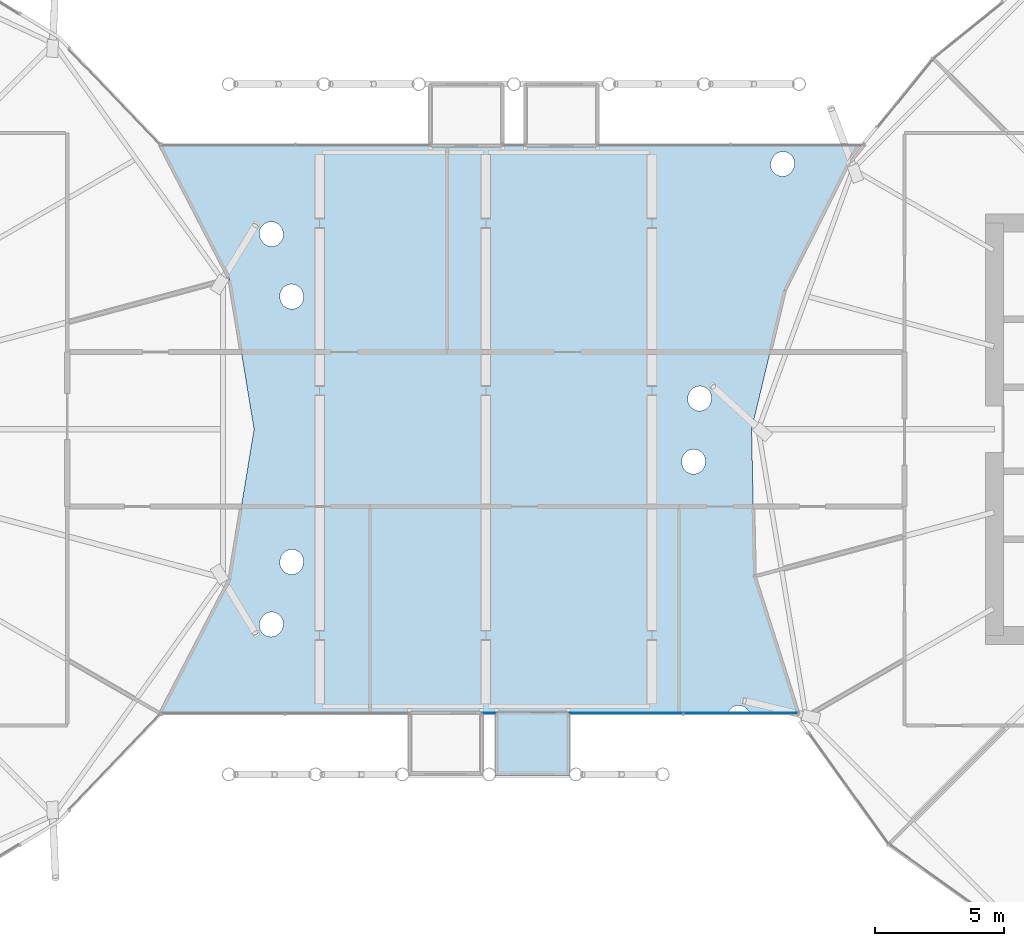
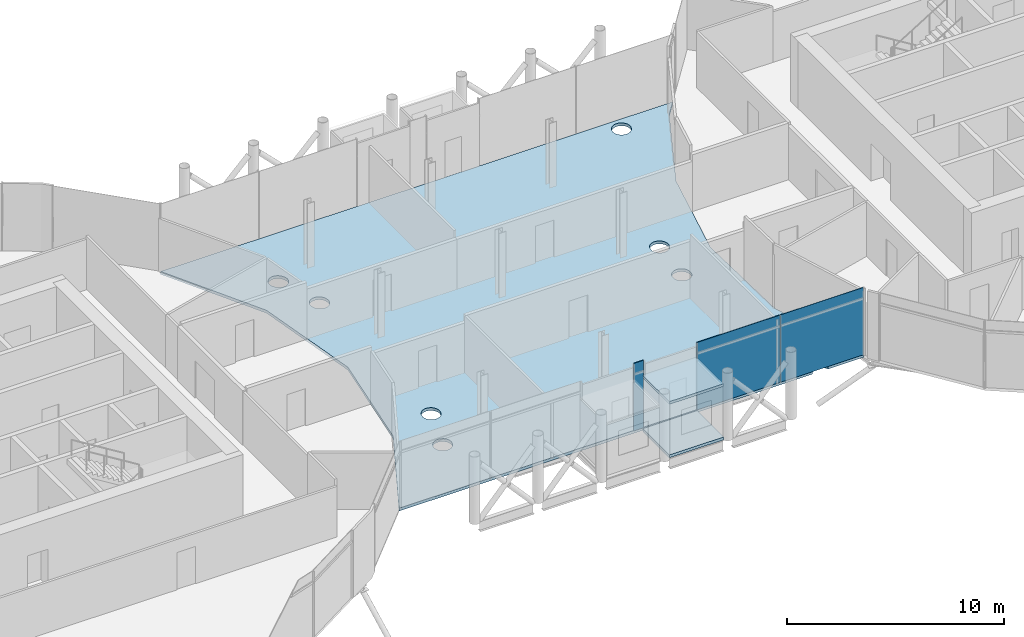
# One storey, part 21 of 39: 3 plates, 3 slabs, 1 element without a shape of its own.
"""IFC4 building model written with IfcOpenShell, lengths in metres."""

import ifcopenshell
import ifcopenshell.guid

model = None  # the IFC model being written
_history = None  # IfcOwnerHistory: only IFC2X3 demands one
_inside = {}  # id of a spatial element -> (the spatial element, [elements in it])
_under = {}  # id of a project, library or spatial element -> (it, [spatial elements below it])
_declared = {}  # id of a project -> (the project, [libraries it declares])
_typed = {}  # id of a type object -> (the type object, [elements of that type])
_made_of = {}  # id of a material, layer set ... -> (it, [elements and type objects made of it])


def new_model(schema):
    """Start an empty IFC model of exactly this schema.

    Asked for "IFC4X3", IfcOpenShell would pick the latest addendum, in which some entities
    have other attributes; the version numbers below select the first issue.
    IFC2X3 requires an IfcOwnerHistory on every rooted entity: one is made here for all.
    """
    global model, _history
    if schema == "IFC4X3":
        model = ifcopenshell.file(schema_version=(4, 3, 0, 0))
    else:
        model = ifcopenshell.file(schema=schema)
    _inside.clear()
    _under.clear()
    _declared.clear()
    _typed.clear()
    _made_of.clear()
    _history = None
    if model.schema == "IFC2X3":
        org = make("IfcOrganization", Name="unknown")
        user = make(
            "IfcPersonAndOrganization",
            ThePerson=make("IfcPerson", FamilyName="unknown"),
            TheOrganization=org,
        )
        app = make(
            "IfcApplication",
            ApplicationDeveloper=org,
            Version="unknown",
            ApplicationFullName="unknown",
            ApplicationIdentifier="unknown",
        )
        _history = make(
            "IfcOwnerHistory",
            OwningUser=user,
            OwningApplication=app,
            ChangeAction="ADDED",
            CreationDate=0,
        )
    return model


def make(cls, **values):
    """One entity of the class cls with the attributes given. An attribute that is None is left unset."""
    return model.create_entity(
        cls, **{name: value for name, value in values.items() if value is not None}
    )


def rooted(cls, **values):
    """An entity with a GlobalId (a new one), such as an element, a storey or a relation."""
    return make(cls, GlobalId=ifcopenshell.guid.new(), OwnerHistory=_history, **values)


def si_unit(unit_type, name, prefix=None):
    """IfcSIUnit, for example si_unit("LENGTHUNIT", "METRE", prefix="MILLI")."""
    return make("IfcSIUnit", UnitType=unit_type, Prefix=prefix, Name=name)


def assignment(units):
    """IfcUnitAssignment: the units of a project."""
    return None if units is None else make("IfcUnitAssignment", Units=units)


def point(xyz):
    """IfcCartesianPoint."""
    return None if xyz is None else make("IfcCartesianPoint", Coordinates=xyz)


def direction(xyz):
    """IfcDirection."""
    return None if xyz is None else make("IfcDirection", DirectionRatios=xyz)


def frame(location, z_axis=None, x_axis=None):
    """IfcAxis2Placement3D, a coordinate frame: its origin and axes. An axis left out is left unset."""
    return make(
        "IfcAxis2Placement3D",
        Location=point(location),
        Axis=direction(z_axis),
        RefDirection=direction(x_axis),
    )


def frame_2d(location, x_axis=None):
    """IfcAxis2Placement2D, a coordinate frame in the plane: its origin and x axis."""
    return make(
        "IfcAxis2Placement2D", Location=point(location), RefDirection=direction(x_axis)
    )


def origin():
    """The frame at (0, 0, 0) with its axes left unset."""
    return frame((0.0, 0.0, 0.0))


def origin_2d():
    """The frame at (0, 0) in the plane with its x axis left unset."""
    return frame_2d((0.0, 0.0))


def place(relative_to, where):
    """IfcLocalPlacement: puts the frame where relative to a parent placement (None: the world)."""
    return make(
        "IfcLocalPlacement", PlacementRelTo=relative_to, RelativePlacement=where
    )


def context(
    kind, dimensions, precision=None, world=None, true_north=None, identifier=None
):
    """IfcGeometricRepresentationContext, for example the 3D "Model" context."""
    return make(
        "IfcGeometricRepresentationContext",
        ContextIdentifier=identifier,
        ContextType=kind,
        CoordinateSpaceDimension=dimensions,
        Precision=precision,
        WorldCoordinateSystem=world,
        TrueNorth=true_north,
    )


def subcontext(parent, identifier, kind, view, scale=None):
    """IfcGeometricRepresentationSubContext, for example "Body" below "Model"."""
    return make(
        "IfcGeometricRepresentationSubContext",
        ContextIdentifier=identifier,
        ContextType=kind,
        ParentContext=parent,
        TargetScale=scale,
        TargetView=view,
    )


def project(units=None, contexts=None):
    """IfcProject with its units and contexts."""
    return rooted(
        "IfcProject",
        Name="project",
        RepresentationContexts=contexts,
        UnitsInContext=assignment(units),
    )


def spatial(cls, under=None, at=None, **own):
    """A site, building, storey or space (cls), placed at a placement, below another one or the project."""
    s = rooted(cls, ObjectPlacement=at, **own)
    if under is not None:
        _under.setdefault(under.id(), (under, []))[1].append(s)
    return s


def polyline(points):
    """IfcPolyline through the points."""
    return make("IfcPolyline", Points=[point(p) for p in points])


def profile(cls, at=None, kind="AREA", **sizes):
    """A parametric profile (cls). Its sizes go by their IFC names, for example OverallWidth=200.0."""
    return make(cls, ProfileType=kind, Position=at, **sizes)


def rectangle(**sizes):
    """IfcRectangleProfileDef."""
    return profile("IfcRectangleProfileDef", **sizes)


def outline(outer, holes=None, kind="AREA"):
    """IfcArbitraryClosedProfileDef: a profile drawn as a closed curve; with holes, ...WithVoids."""
    if holes is None:
        return make("IfcArbitraryClosedProfileDef", ProfileType=kind, OuterCurve=outer)
    return make(
        "IfcArbitraryProfileDefWithVoids",
        ProfileType=kind,
        OuterCurve=outer,
        InnerCurves=holes,
    )


def extrude(swept, where, along, depth):
    """IfcExtrudedAreaSolid: the profile swept, set in the frame where, extruded along a direction by depth."""
    return make(
        "IfcExtrudedAreaSolid",
        SweptArea=swept,
        Position=where,
        ExtrudedDirection=direction(along),
        Depth=depth,
    )


def shape(context_of_items, identifier, shape_type, items):
    """IfcShapeRepresentation: the items that make up one representation, for example the "Body"."""
    return make(
        "IfcShapeRepresentation",
        ContextOfItems=context_of_items,
        RepresentationIdentifier=identifier,
        RepresentationType=shape_type,
        Items=items,
    )


def material(Name=None, Category=None):
    """IfcMaterial."""
    return make("IfcMaterial", Name=Name, Category=Category)


def layer(
    of_material, thickness, ventilated=None, Name=None, Category=None, Priority=None
):
    """IfcMaterialLayer: one layer of a wall or slab, of a material (None: an air gap)."""
    return make(
        "IfcMaterialLayer",
        Material=of_material,
        LayerThickness=thickness,
        IsVentilated=ventilated,
        Name=Name,
        Category=Category,
        Priority=Priority,
    )


def layer_set(layers, Name=None):
    """IfcMaterialLayerSet."""
    return make("IfcMaterialLayerSet", MaterialLayers=layers, LayerSetName=Name)


def made_of(thing, what):
    """Note that an element or type object is made of a material, layer set ...; save() writes the relation."""
    if what is not None:
        _made_of.setdefault(what.id(), (what, []))[1].append(thing)
    return thing


def type_object(cls, material=None, **own):
    """A type object (cls), such as IfcWallType, which elements share."""
    return made_of(rooted(cls, **own), material)


def element(
    cls,
    number,
    at=None,
    inside=None,
    cuts=None,
    type_object=None,
    material=None,
    context=None,
    identifier="Body",
    shape_type=None,
    held_by="IfcProductDefinitionShape",
    body=None,
    shapes=None,
    **own,
):
    """One element of the class cls, such as IfcWall. Its Tag is "e" and its number.

    at: its placement. inside: the storey or other place that contains it. cuts: it is an
    opening in that element (IfcRelVoidsElement). A single representation is given by context,
    identifier, shape_type and body (its items); several are given by shapes. held_by: the class
    of the entity that holds the representations. save() writes the other relations.
    """
    e = rooted(cls, Tag="e%d" % number, ObjectPlacement=at, **own)
    if body is not None:
        shapes = [shape(context, identifier, shape_type, body)]
    if shapes is not None:
        e.Representation = make(held_by, Representations=shapes)
    if inside is not None:
        _inside.setdefault(inside.id(), (inside, []))[1].append(e)
    if cuts is not None:
        rooted(
            "IfcRelVoidsElement", RelatingBuildingElement=cuts, RelatedOpeningElement=e
        )
    if type_object is not None:
        _typed.setdefault(type_object.id(), (type_object, []))[1].append(e)
    return made_of(e, material)


def aggregate(whole, parts):
    """IfcRelAggregates: a whole, such as a stair, and the parts it consists of."""
    return rooted("IfcRelAggregates", RelatingObject=whole, RelatedObjects=parts)


def save(model, path):
    """Write the relations noted so far, then the file.

    IfcRelAggregates (storeys below a building ...), IfcRelContainedInSpatialStructure (elements
    in a storey), IfcRelDefinesByType, IfcRelAssociatesMaterial and IfcRelDeclares: one each for
    every whole, place, type object, material and project.
    """
    for whole, parts in _under.values():
        aggregate(whole, parts)
    for where, things in _inside.values():
        rooted(
            "IfcRelContainedInSpatialStructure",
            RelatedElements=things,
            RelatingStructure=where,
        )
    for kind, things in _typed.values():
        rooted("IfcRelDefinesByType", RelatedObjects=things, RelatingType=kind)
    for what, things in _made_of.values():
        rooted("IfcRelAssociatesMaterial", RelatedObjects=things, RelatingMaterial=what)
    for by, libraries in _declared.values():
        rooted("IfcRelDeclares", RelatingContext=by, RelatedDefinitions=libraries)
    model.write(path)


model = new_model("IFC4")

# Units and contexts
model_context = context("Model", 3, precision=1e-05, world=origin(), true_north=direction((0.0, 1.0)))
body_context = subcontext(model_context, "Body", "Model", "MODEL_VIEW")
ifc_project = project(units=[si_unit("LENGTHUNIT", "METRE"), si_unit("AREAUNIT", "SQUARE_METRE"), si_unit("VOLUMEUNIT", "CUBIC_METRE"), si_unit("PLANEANGLEUNIT", "RADIAN"), si_unit("MASSUNIT", "GRAM", prefix="KILO")], contexts=[model_context])

# Site, building, storey
site_placement = place(None, origin())
site = spatial("IfcSite", under=ifc_project, at=site_placement, CompositionType="ELEMENT")
building_placement = place(site_placement, origin())
building = spatial("IfcBuilding", under=site, at=building_placement, Name="Rimbun Link Towers", CompositionType="ELEMENT")
storey_placement = place(building_placement, frame((0.0, 0.0, 143.0)))
storey = spatial("IfcBuildingStorey", under=building, at=storey_placement, Name="L34", CompositionType="ELEMENT", Elevation=143.0)

# Slabs
ifc_material_1 = material(Name="Insulated metal floor panel on steel frame", Category="steel")
ifc_layer_1 = layer(ifc_material_1, 0.159912109375)
ifc_layer_set_1 = layer_set([ifc_layer_1], Name="CAPSULE floor panel 160")
slab_type_1 = type_object("IfcSlabType", Name="CAPSULE floor panel 160", PredefinedType="FLOOR", material=ifc_layer_set_1)
slab_1_placement = place(storey_placement, frame((0.0, 0.0, -0.219970703125)))
element("IfcSlab", 1, at=slab_1_placement, inside=storey, type_object=slab_type_1, Name="CAPSULE F34.12 floor panel", PredefinedType="FLOOR", context=body_context, shape_type="SweptSolid", body=[
    extrude(outline(polyline([(3.26318359375, -11.0), (0.36328125, -11.0), (0.36328125, -13.449951171875), (3.26318359375, -13.449951171875), (3.26318359375, -11.0)])), origin(), (0.0, 0.0, 1.0), 0.159912109375),
])
ifc_material_2 = material(Name="Insulated metal roof panel with terracotta fascia", Category="masonry")
ifc_layer_2 = layer(ifc_material_2, 0.14990234375)
ifc_layer_set_2 = layer_set([ifc_layer_2], Name="CAPSULE roof panel 150")
slab_type_2 = type_object("IfcSlabType", Name="CAPSULE roof panel 150", PredefinedType="ROOF", material=ifc_layer_set_2)
slab_2_placement = place(storey_placement, frame((0.0, 0.0, 2.7900390625)))
element("IfcSlab", 2, at=slab_2_placement, inside=storey, type_object=slab_type_2, Name="CAPSULE F34.12 roof panel", PredefinedType="ROOF", context=body_context, shape_type="SweptSolid", body=[
    extrude(outline(polyline([(0.36328125, -13.449951171875), (3.26318359375, -13.449951171875), (3.26318359375, -10.949951171875), (0.36328125, -10.949951171875), (0.36328125, -13.449951171875)])), origin(), (0.0, 0.0, 1.0), 0.14990234375),
])

# Curtain wall, plates
ifc_material_3 = material(Name="Aluminium 6063-T6 and low-iron glass", Category="aluminium")
curtain_wall_type = type_object("IfcCurtainWallType", Name="CW4 link block wall", PredefinedType="NOTDEFINED", material=ifc_material_3)
curtain_wall_placement = place(storey_placement, origin())
curtain_wall = element("IfcCurtainWall", 3, at=curtain_wall_placement, inside=storey, type_object=curtain_wall_type, Name="CW4 L34 LB", PredefinedType="NOTDEFINED")
ifc_material_4 = material(Name="Aluminium cladding, insulated panel", Category="aluminium")
ifc_layer_3 = layer(ifc_material_4, 0.028076171875)
ifc_layer_set_3 = layer_set([ifc_layer_3], Name="CW4 insulated panel Aluminium cladding 28")
plate_type_1 = type_object("IfcPlateType", Name="CW4 insulated panel Aluminium cladding 28", PredefinedType="CURTAIN_PANEL", material=ifc_layer_set_3)
plate_1_placement = place(storey_placement, frame((9.894287109375, -11.013916015625, 0.0), z_axis=(0.0, 0.0, 1.0), x_axis=(-1.0, 0.0, 0.0)))
plate_1 = element("IfcPlate", 4, at=plate_1_placement, type_object=plate_type_1, Name="CW4 insulated panel", PredefinedType="CURTAIN_PANEL", context=body_context, shape_type="SweptSolid", body=[
    extrude(rectangle(XDim=4.4140625, YDim=0.028076171875, at=origin_2d()), origin(), (0.0, 0.0, 1.0), 3.800048828125),
])
ifc_material_5 = material(Name="Low-iron glass, laminated low-e unit", Category="glass")
ifc_layer_4 = layer(ifc_material_5, 0.028076171875)
ifc_layer_set_4 = layer_set([ifc_layer_4], Name="CW4 panel Low-iron glass 28")
plate_type_2 = type_object("IfcPlateType", Name="CW4 panel Low-iron glass 28", PredefinedType="CURTAIN_PANEL", material=ifc_layer_set_4)
plate_2_placement = place(storey_placement, frame((5.4404296875, -11.013916015625, 0.0), z_axis=(0.0, 0.0, 1.0), x_axis=(-1.0, 0.0, 0.0)))
plate_2 = element("IfcPlate", 5, at=plate_2_placement, type_object=plate_type_2, Name="CW4 panel", PredefinedType="CURTAIN_PANEL", context=body_context, shape_type="SweptSolid", body=[
    extrude(rectangle(XDim=4.4140625, YDim=0.028076171875, at=origin_2d()), origin(), (0.0, 0.0, 1.0), 3.800048828125),
])
plate_3_placement = place(storey_placement, frame((0.12890625, -11.013916015625, 0.0), z_axis=(0.0, 0.0, 1.0), x_axis=(-1.0, 0.0, 0.0)))
plate_3 = element("IfcPlate", 6, at=plate_3_placement, type_object=plate_type_2, Name="CW4 panel", PredefinedType="CURTAIN_PANEL", context=body_context, shape_type="SweptSolid", body=[
    extrude(rectangle(XDim=0.529052734375, YDim=0.028076171875, at=origin_2d()), origin(), (0.0, 0.0, 1.0), 3.800048828125),
])
aggregate(curtain_wall, [plate_1, plate_2, plate_3])

# Slab
ifc_material_6 = material(Name="Concrete C40/50", Category="concrete")
ifc_layer_5 = layer(ifc_material_6, 0.159912109375)
ifc_layer_set_5 = layer_set([ifc_layer_5], Name="Link composite floor slab")
slab_type_3 = type_object("IfcSlabType", Name="Link composite floor slab", PredefinedType="FLOOR", material=ifc_layer_set_5)
slab_3_placement = place(storey_placement, frame((0.0, 0.0, -0.159912109375)))
element("IfcSlab", 7, at=slab_3_placement, inside=storey, type_object=slab_type_3, Name="Link floor slab L34", PredefinedType="FLOOR", context=body_context, shape_type="SweptSolid", body=[
    extrude(outline(polyline([(-9.956787109375, -5.839599609375), (-8.99658203125, 0.0), (-9.956787109375, 5.839599609375), (-12.626953125, 11.0), (14.66064453125, 11.0), (14.035400390625, 10.2275390625), (11.609375, 5.396728515625), (10.31884765625, 0.0), (10.439208984375, -5.710205078125), (12.121337890625, -11.0), (10.236083984375, -11.0), (10.22998046875, -10.985107421875), (10.208740234375, -10.94580078125), (10.18359375, -10.90869140625), (10.1552734375, -10.874267578125), (10.123291015625, -10.8427734375), (10.0888671875, -10.814697265625), (10.051513671875, -10.789794921875), (10.011962890625, -10.76904296875), (9.970703125, -10.751953125), (9.927734375, -10.7392578125), (9.8837890625, -10.730712890625), (9.83935546875, -10.726318359375), (9.794677734375, -10.7265625), (9.750244140625, -10.731201171875), (9.706298828125, -10.739990234375), (9.66357421875, -10.753173828125), (9.622314453125, -10.7705078125), (9.5830078125, -10.791748046875), (9.5458984375, -10.816650390625), (9.511474609375, -10.84521484375), (9.47998046875, -10.876953125), (9.451904296875, -10.91162109375), (9.427001953125, -10.94873046875), (9.40625, -10.98828125), (9.4013671875, -11.0), (-12.626953125, -11.0), (-9.956787109375, -5.839599609375)]), holes=[polyline([(-8.586181640625, -7.188720703125), (-8.62060546875, -7.217041015625), (-8.652099609375, -7.248779296875), (-8.680419921875, -7.283447265625), (-8.705078125, -7.32080078125), (-8.72607421875, -7.3603515625), (-8.748291015625, -7.407958984375), (-8.76513671875, -7.44921875), (-8.778076171875, -7.4921875), (-8.78662109375, -7.535888671875), (-8.790771484375, -7.58056640625), (-8.79052734375, -7.625244140625), (-8.7861328125, -7.669677734375), (-8.777099609375, -7.71337890625), (-8.76416015625, -7.75634765625), (-8.746826171875, -7.797607421875), (-8.7255859375, -7.8369140625), (-8.70068359375, -7.8740234375), (-8.672119140625, -7.908447265625), (-8.640380859375, -7.93994140625), (-8.605712890625, -7.968017578125), (-8.568359375, -7.992919921875), (-8.52880859375, -8.013916015625), (-8.487548828125, -8.03076171875), (-8.444580078125, -8.04345703125), (-8.40087890625, -8.052001953125), (-8.356201171875, -8.056396484375), (-8.3115234375, -8.05615234375), (-8.26708984375, -8.051513671875), (-8.223388671875, -8.042724609375), (-8.1806640625, -8.029541015625), (-8.139404296875, -8.01220703125), (-8.10009765625, -7.990966796875), (-8.06298828125, -7.966064453125), (-8.0283203125, -7.9375), (-7.996826171875, -7.90576171875), (-7.96875, -7.87109375), (-7.944091796875, -7.833984375), (-7.923095703125, -7.79443359375), (-7.90087890625, -7.74658203125), (-7.8837890625, -7.705322265625), (-7.87109375, -7.66259765625), (-7.8623046875, -7.61865234375), (-7.858154296875, -7.57421875), (-7.8583984375, -7.529296875), (-7.863037109375, -7.48486328125), (-7.871826171875, -7.441162109375), (-7.885009765625, -7.3984375), (-7.90234375, -7.357177734375), (-7.923583984375, -7.31787109375), (-7.948486328125, -7.28076171875), (-7.97705078125, -7.24609375), (-8.0087890625, -7.21484375), (-8.04345703125, -7.1865234375), (-8.08056640625, -7.161865234375), (-8.1201171875, -7.140869140625), (-8.16162109375, -7.1240234375), (-8.204345703125, -7.111083984375), (-8.248291015625, -7.1025390625), (-8.292724609375, -7.098388671875), (-8.33740234375, -7.098388671875), (-8.3818359375, -7.10302734375), (-8.42578125, -7.112060546875), (-8.468505859375, -7.125), (-8.509765625, -7.142333984375), (-8.549072265625, -7.16357421875), (-8.586181640625, -7.188720703125)]), polyline([(-7.18798828125, -5.46435546875), (-7.161376953125, -5.42822265625), (-7.138671875, -5.389892578125), (-7.11962890625, -5.349365234375), (-7.104736328125, -5.30712890625), (-7.093994140625, -5.263671875), (-7.083984375, -5.211181640625), (-7.07763671875, -5.1669921875), (-7.07568359375, -5.122314453125), (-7.077880859375, -5.07763671875), (-7.084716796875, -5.033447265625), (-7.095703125, -4.990234375), (-7.111083984375, -4.9482421875), (-7.13037109375, -4.90771484375), (-7.1533203125, -4.86962890625), (-7.18017578125, -4.833740234375), (-7.21044921875, -4.80078125), (-7.24365234375, -4.77099609375), (-7.27978515625, -4.744384765625), (-7.318115234375, -4.7216796875), (-7.358642578125, -4.70263671875), (-7.40087890625, -4.687744140625), (-7.444091796875, -4.677001953125), (-7.488525390625, -4.670654296875), (-7.533203125, -4.668701171875), (-7.577880859375, -4.671142578125), (-7.6220703125, -4.677978515625), (-7.665283203125, -4.68896484375), (-7.707275390625, -4.7041015625), (-7.747802734375, -4.723388671875), (-7.785888671875, -4.74658203125), (-7.82177734375, -4.7734375), (-7.854736328125, -4.8037109375), (-7.884521484375, -4.8369140625), (-7.9111328125, -4.872802734375), (-7.933837890625, -4.911376953125), (-7.952880859375, -4.951904296875), (-7.9677734375, -4.993896484375), (-7.978515625, -5.037353515625), (-7.988525390625, -5.08984375), (-7.994873046875, -5.134033203125), (-7.996826171875, -5.1787109375), (-7.99462890625, -5.223388671875), (-7.98779296875, -5.267578125), (-7.976806640625, -5.310791015625), (-7.96142578125, -5.352783203125), (-7.942138671875, -5.393310546875), (-7.919189453125, -5.431396484375), (-7.892333984375, -5.46728515625), (-7.862060546875, -5.500244140625), (-7.828857421875, -5.5302734375), (-7.792724609375, -5.556640625), (-7.75439453125, -5.57958984375), (-7.7138671875, -5.598388671875), (-7.671630859375, -5.61328125), (-7.62841796875, -5.6240234375), (-7.583984375, -5.63037109375), (-7.539306640625, -5.63232421875), (-7.49462890625, -5.6298828125), (-7.450439453125, -5.623291015625), (-7.4072265625, -5.6123046875), (-7.365234375, -5.596923828125), (-7.32470703125, -5.57763671875), (-7.28662109375, -5.554443359375), (-7.250732421875, -5.527587890625), (-7.2177734375, -5.49755859375), (-7.18798828125, -5.46435546875)]), polyline([(-7.98779296875, 5.267578125), (-7.99462890625, 5.223388671875), (-7.996826171875, 5.1787109375), (-7.994873046875, 5.134033203125), (-7.988525390625, 5.08984375), (-7.978515625, 5.037353515625), (-7.9677734375, 4.993896484375), (-7.952880859375, 4.951904296875), (-7.933837890625, 4.911376953125), (-7.9111328125, 4.872802734375), (-7.884521484375, 4.8369140625), (-7.854736328125, 4.8037109375), (-7.82177734375, 4.7734375), (-7.785888671875, 4.74658203125), (-7.747802734375, 4.723388671875), (-7.707275390625, 4.7041015625), (-7.665283203125, 4.68896484375), (-7.6220703125, 4.677978515625), (-7.577880859375, 4.671142578125), (-7.533203125, 4.668701171875), (-7.488525390625, 4.670654296875), (-7.444091796875, 4.677001953125), (-7.40087890625, 4.687744140625), (-7.358642578125, 4.70263671875), (-7.318115234375, 4.7216796875), (-7.27978515625, 4.744384765625), (-7.24365234375, 4.77099609375), (-7.21044921875, 4.80078125), (-7.18017578125, 4.833740234375), (-7.1533203125, 4.86962890625), (-7.13037109375, 4.90771484375), (-7.111083984375, 4.9482421875), (-7.095703125, 4.990234375), (-7.084716796875, 5.033447265625), (-7.077880859375, 5.07763671875), (-7.07568359375, 5.122314453125), (-7.07763671875, 5.1669921875), (-7.083984375, 5.211181640625), (-7.093994140625, 5.263671875), (-7.104736328125, 5.30712890625), (-7.11962890625, 5.349365234375), (-7.138671875, 5.389892578125), (-7.161376953125, 5.42822265625), (-7.18798828125, 5.46435546875), (-7.2177734375, 5.49755859375), (-7.250732421875, 5.527587890625), (-7.28662109375, 5.554443359375), (-7.32470703125, 5.57763671875), (-7.365234375, 5.596923828125), (-7.4072265625, 5.6123046875), (-7.450439453125, 5.623291015625), (-7.49462890625, 5.6298828125), (-7.539306640625, 5.63232421875), (-7.583984375, 5.63037109375), (-7.62841796875, 5.6240234375), (-7.671630859375, 5.61328125), (-7.7138671875, 5.598388671875), (-7.75439453125, 5.57958984375), (-7.792724609375, 5.556640625), (-7.828857421875, 5.5302734375), (-7.862060546875, 5.500244140625), (-7.892333984375, 5.46728515625), (-7.919189453125, 5.431396484375), (-7.942138671875, 5.393310546875), (-7.96142578125, 5.352783203125), (-7.976806640625, 5.310791015625), (-7.98779296875, 5.267578125)]), polyline([(-7.858154296875, 7.57421875), (-7.8623046875, 7.61865234375), (-7.87109375, 7.66259765625), (-7.8837890625, 7.705322265625), (-7.90087890625, 7.74658203125), (-7.923095703125, 7.79443359375), (-7.944091796875, 7.833984375), (-7.96875, 7.87109375), (-7.996826171875, 7.90576171875), (-8.0283203125, 7.9375), (-8.06298828125, 7.966064453125), (-8.10009765625, 7.990966796875), (-8.139404296875, 8.01220703125), (-8.1806640625, 8.029541015625), (-8.223388671875, 8.042724609375), (-8.26708984375, 8.051513671875), (-8.3115234375, 8.05615234375), (-8.356201171875, 8.056396484375), (-8.40087890625, 8.052001953125), (-8.444580078125, 8.04345703125), (-8.487548828125, 8.03076171875), (-8.52880859375, 8.013916015625), (-8.568359375, 7.992919921875), (-8.605712890625, 7.968017578125), (-8.640380859375, 7.93994140625), (-8.672119140625, 7.908447265625), (-8.70068359375, 7.8740234375), (-8.7255859375, 7.8369140625), (-8.746826171875, 7.797607421875), (-8.76416015625, 7.75634765625), (-8.777099609375, 7.71337890625), (-8.7861328125, 7.669677734375), (-8.79052734375, 7.625244140625), (-8.790771484375, 7.58056640625), (-8.78662109375, 7.535888671875), (-8.778076171875, 7.4921875), (-8.76513671875, 7.44921875), (-8.748291015625, 7.407958984375), (-8.72607421875, 7.3603515625), (-8.705078125, 7.32080078125), (-8.680419921875, 7.283447265625), (-8.652099609375, 7.248779296875), (-8.62060546875, 7.217041015625), (-8.586181640625, 7.188720703125), (-8.549072265625, 7.16357421875), (-8.509765625, 7.142333984375), (-8.468505859375, 7.125), (-8.42578125, 7.112060546875), (-8.3818359375, 7.10302734375), (-8.33740234375, 7.098388671875), (-8.292724609375, 7.098388671875), (-8.248291015625, 7.1025390625), (-8.204345703125, 7.111083984375), (-8.16162109375, 7.1240234375), (-8.1201171875, 7.140869140625), (-8.08056640625, 7.161865234375), (-8.04345703125, 7.1865234375), (-8.0087890625, 7.21484375), (-7.97705078125, 7.24609375), (-7.948486328125, 7.28076171875), (-7.923583984375, 7.31787109375), (-7.90234375, 7.357177734375), (-7.885009765625, 7.3984375), (-7.871826171875, 7.441162109375), (-7.863037109375, 7.48486328125), (-7.8583984375, 7.529296875), (-7.858154296875, 7.57421875)]), polyline([(7.666748046875, -1.015380859375), (7.647705078125, -1.055908203125), (7.632568359375, -1.097900390625), (7.62158203125, -1.141357421875), (7.615234375, -1.185546875), (7.61279296875, -1.230224609375), (7.61279296875, -1.281982421875), (7.614990234375, -1.32666015625), (7.62158203125, -1.370849609375), (7.632568359375, -1.414306640625), (7.647705078125, -1.456298828125), (7.666748046875, -1.496826171875), (7.689697265625, -1.53515625), (7.71630859375, -1.571044921875), (7.746337890625, -1.604248046875), (7.779296875, -1.63427734375), (7.815185546875, -1.660888671875), (7.853759765625, -1.683837890625), (7.89404296875, -1.702880859375), (7.936279296875, -1.718017578125), (7.9794921875, -1.72900390625), (8.023681640625, -1.735595703125), (8.068359375, -1.73779296875), (8.113037109375, -1.735595703125), (8.1572265625, -1.72900390625), (8.20068359375, -1.718017578125), (8.242919921875, -1.702880859375), (8.283203125, -1.683837890625), (8.321533203125, -1.660888671875), (8.357421875, -1.63427734375), (8.390625, -1.604248046875), (8.420654296875, -1.5712890625), (8.447265625, -1.535400390625), (8.47021484375, -1.496826171875), (8.489501953125, -1.45654296875), (8.50439453125, -1.414306640625), (8.515380859375, -1.37109375), (8.52197265625, -1.326904296875), (8.524169921875, -1.2822265625), (8.524169921875, -1.23046875), (8.52197265625, -1.185791015625), (8.515380859375, -1.1416015625), (8.504638671875, -1.09814453125), (8.489501953125, -1.055908203125), (8.470458984375, -1.015625), (8.447509765625, -0.977294921875), (8.4208984375, -0.94140625), (8.390869140625, -0.908203125), (8.357666015625, -0.878173828125), (8.32177734375, -0.8515625), (8.283447265625, -0.82861328125), (8.242919921875, -0.809326171875), (8.200927734375, -0.794189453125), (8.157470703125, -0.783447265625), (8.11328125, -0.77685546875), (8.068603515625, -0.774658203125), (8.02392578125, -0.77685546875), (7.979736328125, -0.783447265625), (7.936279296875, -0.794189453125), (7.894287109375, -0.809326171875), (7.85400390625, -0.828369140625), (7.8154296875, -0.851318359375), (7.779541015625, -0.8779296875), (7.74658203125, -0.908203125), (7.71630859375, -0.941162109375), (7.689697265625, -0.97705078125), (7.666748046875, -1.015380859375)]), polyline([(8.67724609375, 0.9169921875), (8.699951171875, 0.955322265625), (8.718994140625, 0.995849609375), (8.73388671875, 1.0380859375), (8.74462890625, 1.081298828125), (8.75439453125, 1.130615234375), (8.7607421875, 1.1748046875), (8.7626953125, 1.219482421875), (8.760498046875, 1.26416015625), (8.75390625, 1.308349609375), (8.742919921875, 1.351806640625), (8.7275390625, 1.393798828125), (8.708251953125, 1.43408203125), (8.685302734375, 1.472412109375), (8.658447265625, 1.50830078125), (8.62841796875, 1.541259765625), (8.59521484375, 1.5712890625), (8.55908203125, 1.59765625), (8.520751953125, 1.62060546875), (8.480224609375, 1.6396484375), (8.43798828125, 1.654541015625), (8.394775390625, 1.665283203125), (8.350341796875, 1.671630859375), (8.305908203125, 1.673583984375), (8.260986328125, 1.67138671875), (8.216796875, 1.664794921875), (8.173583984375, 1.65380859375), (8.131591796875, 1.638427734375), (8.09130859375, 1.619384765625), (8.052978515625, 1.59619140625), (8.01708984375, 1.5693359375), (7.98388671875, 1.539306640625), (7.9541015625, 1.506103515625), (7.927490234375, 1.47021484375), (7.90478515625, 1.431640625), (7.8857421875, 1.39111328125), (7.870849609375, 1.34912109375), (7.860107421875, 1.3056640625), (7.850341796875, 1.25634765625), (7.843994140625, 1.212158203125), (7.842041015625, 1.16748046875), (7.84423828125, 1.122802734375), (7.85107421875, 1.07861328125), (7.862060546875, 1.035400390625), (7.877197265625, 0.993408203125), (7.896484375, 0.952880859375), (7.91943359375, 0.91455078125), (7.9462890625, 0.87890625), (7.976318359375, 0.845703125), (8.009521484375, 0.81591796875), (8.045654296875, 0.789306640625), (8.083984375, 0.7666015625), (8.12451171875, 0.74755859375), (8.166748046875, 0.732421875), (8.210205078125, 0.7216796875), (8.25439453125, 0.71533203125), (8.299072265625, 0.71337890625), (8.343505859375, 0.7158203125), (8.3876953125, 0.722412109375), (8.43115234375, 0.7333984375), (8.47314453125, 0.74853515625), (8.513671875, 0.767822265625), (8.5517578125, 0.791015625), (8.587646484375, 0.817626953125), (8.62060546875, 0.847900390625), (8.650634765625, 0.881103515625), (8.67724609375, 0.9169921875)]), polyline([(11.247314453125, 10.67236328125), (11.214111328125, 10.642333984375), (11.18408203125, 10.609130859375), (11.15771484375, 10.5732421875), (11.134521484375, 10.534912109375), (11.111328125, 10.4912109375), (11.09228515625, 10.450927734375), (11.077392578125, 10.40869140625), (11.06640625, 10.365478515625), (11.06005859375, 10.3212890625), (11.057861328125, 10.276611328125), (11.06005859375, 10.231689453125), (11.066650390625, 10.1875), (11.07763671875, 10.144287109375), (11.0927734375, 10.102294921875), (11.11181640625, 10.061767578125), (11.135009765625, 10.0234375), (11.16162109375, 9.987548828125), (11.191650390625, 9.95458984375), (11.224853515625, 9.924560546875), (11.2607421875, 9.89794921875), (11.299072265625, 9.875), (11.339599609375, 9.85595703125), (11.381591796875, 9.8408203125), (11.425048828125, 9.830078125), (11.46923828125, 9.823486328125), (11.513916015625, 9.8212890625), (11.55859375, 9.823486328125), (11.602783203125, 9.830078125), (11.646240234375, 9.841064453125), (11.688232421875, 9.856201171875), (11.728759765625, 9.87548828125), (11.76708984375, 9.8984375), (11.802978515625, 9.925048828125), (11.8359375, 9.955078125), (11.865966796875, 9.98828125), (11.892578125, 10.0244140625), (11.91552734375, 10.0625), (11.938720703125, 10.106201171875), (11.957763671875, 10.146484375), (11.972900390625, 10.188720703125), (11.983642578125, 10.23193359375), (11.989990234375, 10.276123046875), (11.9921875, 10.32080078125), (11.989990234375, 10.365478515625), (11.9833984375, 10.409912109375), (11.972412109375, 10.453125), (11.95751953125, 10.4951171875), (11.938232421875, 10.53564453125), (11.915283203125, 10.573974609375), (11.888427734375, 10.60986328125), (11.8583984375, 10.642822265625), (11.8251953125, 10.6728515625), (11.789306640625, 10.699462890625), (11.7509765625, 10.722412109375), (11.71044921875, 10.741455078125), (11.66845703125, 10.756591796875), (11.625, 10.767333984375), (11.580810546875, 10.77392578125), (11.5361328125, 10.77587890625), (11.491455078125, 10.773681640625), (11.447265625, 10.76708984375), (11.40380859375, 10.75634765625), (11.36181640625, 10.7412109375), (11.3212890625, 10.721923828125), (11.283203125, 10.698974609375), (11.247314453125, 10.67236328125)])]), origin(), (0.0, 0.0, 1.0), 0.159912109375),
])

save(model, "model.ifc")
